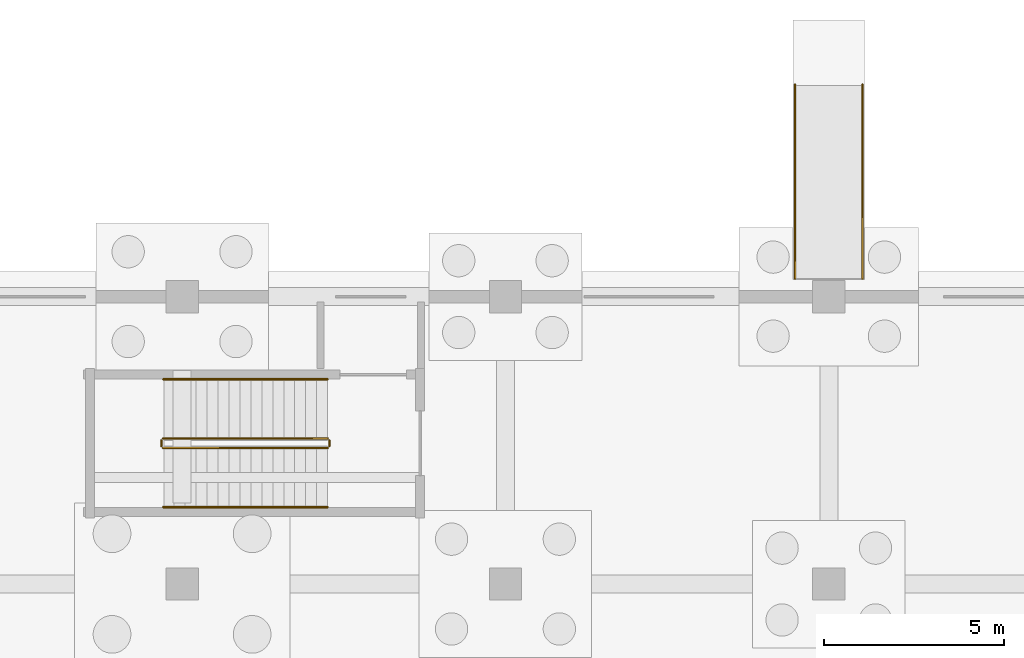
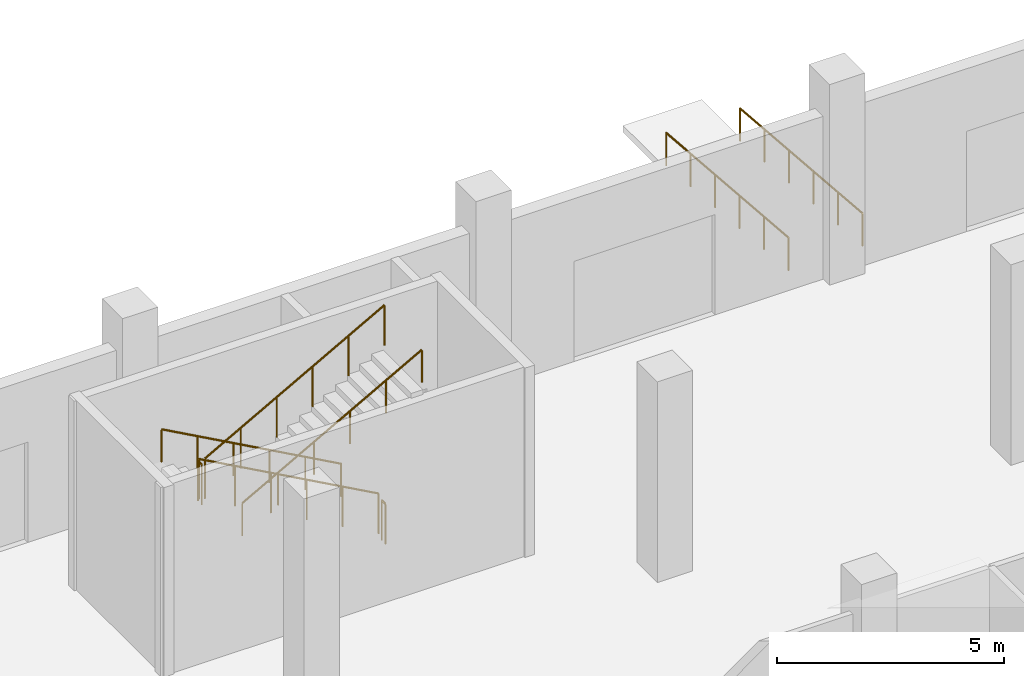
# One storey, part 85 of 103: 8 railings.
"""IFC4 building model written with IfcOpenShell, lengths in metres."""

from ifc_helpers import new_model, si_unit, direction, frame, origin, origin_2d, place, context, subcontext, project, spatial, circle, extrude, material, type_object, element, save


model = new_model("IFC4")

# Units and contexts
model_context = context("Model", 3, precision=1e-05, world=origin(), true_north=direction((0.0, 1.0)))
body_context = subcontext(model_context, "Body", "Model", "MODEL_VIEW")
ifc_project = project(units=[si_unit("LENGTHUNIT", "METRE"), si_unit("AREAUNIT", "SQUARE_METRE"), si_unit("VOLUMEUNIT", "CUBIC_METRE"), si_unit("PLANEANGLEUNIT", "RADIAN"), si_unit("MASSUNIT", "GRAM", prefix="KILO")], contexts=[model_context])

# Site, building, storey
site_placement = place(None, origin())
site = spatial("IfcSite", under=ifc_project, at=site_placement, CompositionType="ELEMENT")
building_placement = place(site_placement, origin())
building = spatial("IfcBuilding", under=site, at=building_placement, Name="Zevraka Park Crest Stadium", CompositionType="ELEMENT")
storey_placement = place(building_placement, origin())
storey = spatial("IfcBuildingStorey", under=building, at=storey_placement, Name="L00", CompositionType="ELEMENT", Elevation=0.0)

# Railings
ifc_material_1 = material(Name="Powder-coated tubular steel stairwell guard", Category="steel")
railing_type_1 = type_object("IfcRailingType", Name="GR03", PredefinedType="GUARDRAIL", material=ifc_material_1)
railing_1_placement = place(storey_placement, frame((13.050048828125, 180.050048828125, 0.168701171875)))
element("IfcRailing", 1, at=railing_1_placement, inside=storey, type_object=railing_type_1, Name="L00 ST47 stair guard 1", PredefinedType="GUARDRAIL", context=body_context, shape_type="SweptSolid", body=[
    extrude(circle(Radius=0.02392578125, at=origin_2d()), frame((0.0, 0.0, 1.076171875), z_axis=(-0.874999533545, 0.0, 0.484123761342), x_axis=(0.0, -1.0, 0.0)), (0.0, 0.0, 1.0), 5.228515625),
    extrude(circle(Radius=0.02099609375, at=origin_2d()), origin(), (0.0, 0.0, 1.0), 1.052001953125),
    extrude(circle(Radius=0.02099609375, at=origin_2d()), frame((-0.9150390625, 0.0, 0.50634765625)), (0.0, 0.0, 1.0), 1.052001953125),
    extrude(circle(Radius=0.02099609375, at=origin_2d()), frame((-1.830078125, 0.0, 1.012451171875)), (0.0, 0.0, 1.0), 1.052001953125),
    extrude(circle(Radius=0.02099609375, at=origin_2d()), frame((-2.744873046875, 0.0, 1.518798828125)), (0.0, 0.0, 1.0), 1.052001953125),
    extrude(circle(Radius=0.02099609375, at=origin_2d()), frame((-3.659912109375, 0.0, 2.02490234375)), (0.0, 0.0, 1.0), 1.052001953125),
    extrude(circle(Radius=0.02099609375, at=origin_2d()), frame((-4.574951171875, 0.0, 2.53125)), (0.0, 0.0, 1.0), 1.052001953125),
])
railing_2_placement = place(storey_placement, frame((8.425048828125, 180.0, 2.699951171875)))
element("IfcRailing", 2, at=railing_2_placement, inside=storey, type_object=railing_type_1, Name="L00 ST47 stair guard 2", PredefinedType="GUARDRAIL", context=body_context, shape_type="SweptSolid", body=[
    extrude(circle(Radius=0.02392578125, at=origin_2d()), frame((0.0, 0.0, 1.076171875), z_axis=(0.0, -1.0, 0.0), x_axis=(1.0, 0.0, 0.0)), (0.0, 0.0, 1.0), 0.159912109375),
    extrude(circle(Radius=0.02099609375, at=origin_2d()), origin(), (0.0, 0.0, 1.0), 1.052001953125),
    extrude(circle(Radius=0.02099609375, at=origin_2d()), frame((0.0, -0.159912109375, 0.0)), (0.0, 0.0, 1.0), 1.052001953125),
])
railing_3_placement = place(storey_placement, frame((8.47509765625, 179.7900390625, 2.86865234375)))
element("IfcRailing", 3, at=railing_3_placement, inside=storey, type_object=railing_type_1, Name="L00 ST47 stair guard 3", PredefinedType="GUARDRAIL", context=body_context, shape_type="SweptSolid", body=[
    extrude(circle(Radius=0.02392578125, at=origin_2d()), frame((0.0, 0.0, 1.076171875), z_axis=(0.874999533545, 0.0, 0.484123761342), x_axis=(0.0, 1.0, 0.0)), (0.0, 0.0, 1.0), 5.228515625),
    extrude(circle(Radius=0.02099609375, at=origin_2d()), origin(), (0.0, 0.0, 1.0), 1.052001953125),
    extrude(circle(Radius=0.02099609375, at=origin_2d()), frame((0.9150390625, 0.0, 0.50634765625)), (0.0, 0.0, 1.0), 1.052001953125),
    extrude(circle(Radius=0.02099609375, at=origin_2d()), frame((1.830078125, 0.0, 1.012451171875)), (0.0, 0.0, 1.0), 1.052001953125),
    extrude(circle(Radius=0.02099609375, at=origin_2d()), frame((2.744873046875, 0.0, 1.518798828125)), (0.0, 0.0, 1.0), 1.052001953125),
    extrude(circle(Radius=0.02099609375, at=origin_2d()), frame((3.659912109375, 0.0, 2.02490234375)), (0.0, 0.0, 1.0), 1.052001953125),
    extrude(circle(Radius=0.02099609375, at=origin_2d()), frame((4.574951171875, 0.0, 2.53125)), (0.0, 0.0, 1.0), 1.052001953125),
])
railing_4_placement = place(storey_placement, frame((13.10009765625, 180.0, 0.0)))
element("IfcRailing", 4, at=railing_4_placement, inside=storey, type_object=railing_type_1, Name="L00 ST47 stair guard 4", PredefinedType="GUARDRAIL", context=body_context, shape_type="SweptSolid", body=[
    extrude(circle(Radius=0.02392578125, at=origin_2d()), frame((0.0, 0.0, 1.076171875), z_axis=(0.0, -1.0, 0.0), x_axis=(1.0, 0.0, 0.0)), (0.0, 0.0, 1.0), 0.159912109375),
    extrude(circle(Radius=0.02099609375, at=origin_2d()), origin(), (0.0, 0.0, 1.0), 1.052001953125),
    extrude(circle(Radius=0.02099609375, at=origin_2d()), frame((0.0, -0.159912109375, 0.0)), (0.0, 0.0, 1.0), 1.052001953125),
])
ifc_material_2 = material(Name="Brushed stainless steel continuous handrail", Category="steel")
railing_type_2 = type_object("IfcRailingType", Name="HR01", PredefinedType="HANDRAIL", material=ifc_material_2)
railing_5_placement = place(storey_placement, frame((13.050048828125, 181.699951171875, 0.168701171875)))
element("IfcRailing", 5, at=railing_5_placement, inside=storey, type_object=railing_type_2, Name="L00 ST47 stair handrail 1", PredefinedType="HANDRAIL", context=body_context, shape_type="SweptSolid", body=[
    extrude(circle(Radius=0.02392578125, at=origin_2d()), frame((0.0, 0.0, 0.8759765625), z_axis=(-0.874999533545, 0.0, 0.484123761342), x_axis=(0.0, -1.0, 0.0)), (0.0, 0.0, 1.0), 5.228515625),
    extrude(circle(Radius=0.02099609375, at=origin_2d()), origin(), (0.0, 0.0, 1.0), 0.851806640625),
    extrude(circle(Radius=0.02099609375, at=origin_2d()), frame((-0.9150390625, 0.0, 0.50634765625)), (0.0, 0.0, 1.0), 0.851806640625),
    extrude(circle(Radius=0.02099609375, at=origin_2d()), frame((-1.830078125, 0.0, 1.012451171875)), (0.0, 0.0, 1.0), 0.851806640625),
    extrude(circle(Radius=0.02099609375, at=origin_2d()), frame((-2.744873046875, 0.0, 1.518798828125)), (0.0, 0.0, 1.0), 0.851806640625),
    extrude(circle(Radius=0.02099609375, at=origin_2d()), frame((-3.659912109375, 0.0, 2.02490234375)), (0.0, 0.0, 1.0), 0.851806640625),
    extrude(circle(Radius=0.02099609375, at=origin_2d()), frame((-4.574951171875, 0.0, 2.53125)), (0.0, 0.0, 1.0), 0.851806640625),
])
railing_6_placement = place(storey_placement, frame((8.47509765625, 178.139892578125, 2.86865234375)))
element("IfcRailing", 6, at=railing_6_placement, inside=storey, type_object=railing_type_2, Name="L00 ST47 stair handrail 2", PredefinedType="HANDRAIL", context=body_context, shape_type="SweptSolid", body=[
    extrude(circle(Radius=0.02392578125, at=origin_2d()), frame((0.0, 0.0, 0.8759765625), z_axis=(0.874999533545, 0.0, 0.484123761342), x_axis=(0.0, 1.0, 0.0)), (0.0, 0.0, 1.0), 5.228515625),
    extrude(circle(Radius=0.02099609375, at=origin_2d()), origin(), (0.0, 0.0, 1.0), 0.851806640625),
    extrude(circle(Radius=0.02099609375, at=origin_2d()), frame((0.9150390625, 0.0, 0.50634765625)), (0.0, 0.0, 1.0), 0.851806640625),
    extrude(circle(Radius=0.02099609375, at=origin_2d()), frame((1.830078125, 0.0, 1.012451171875)), (0.0, 0.0, 1.0), 0.851806640625),
    extrude(circle(Radius=0.02099609375, at=origin_2d()), frame((2.744873046875, 0.0, 1.518798828125)), (0.0, 0.0, 1.0), 0.851806640625),
    extrude(circle(Radius=0.02099609375, at=origin_2d()), frame((3.659912109375, 0.0, 2.02490234375)), (0.0, 0.0, 1.0), 0.851806640625),
    extrude(circle(Radius=0.02099609375, at=origin_2d()), frame((4.574951171875, 0.0, 2.53125)), (0.0, 0.0, 1.0), 0.851806640625),
])
for number, where, name in (
    (7, (26.06005859375, 189.89990234375, -0.449951171875), "Accessible Ramp Handrail RM05-1"),
    (8, (27.93994140625, 189.89990234375, -0.449951171875), "Accessible Ramp Handrail RM05-2"),
):
    element("IfcRailing", number, at=place(storey_placement, frame(where)), inside=storey, type_object=railing_type_2, Name=name, PredefinedType="HANDRAIL", context=body_context, shape_type="SweptSolid", body=[
        extrude(circle(Radius=0.02392578125, at=origin_2d()), frame((0.0, 0.0, 0.8759765625), z_axis=(0.0, -0.996546379678, 0.083038022323), x_axis=(1.0, 0.0, 0.0)), (0.0, 0.0, 1.0), 5.418701171875),
        extrude(circle(Radius=0.02099609375, at=origin_2d()), origin(), (0.0, 0.0, 1.0), 0.851806640625),
        extrude(circle(Radius=0.02099609375, at=origin_2d()), frame((0.0, -1.080078125, 0.090087890625)), (0.0, 0.0, 1.0), 0.851806640625),
        extrude(circle(Radius=0.02099609375, at=origin_2d()), frame((0.0, -2.159912109375, 0.179931640625)), (0.0, 0.0, 1.0), 0.851806640625),
        extrude(circle(Radius=0.02099609375, at=origin_2d()), frame((0.0, -3.239990234375, 0.27001953125)), (0.0, 0.0, 1.0), 0.851806640625),
        extrude(circle(Radius=0.02099609375, at=origin_2d()), frame((0.0, -4.31982421875, 0.35986328125)), (0.0, 0.0, 1.0), 0.851806640625),
        extrude(circle(Radius=0.02099609375, at=origin_2d()), frame((0.0, -5.39990234375, 0.449951171875)), (0.0, 0.0, 1.0), 0.851806640625),
    ])

save(model, "model.ifc")
